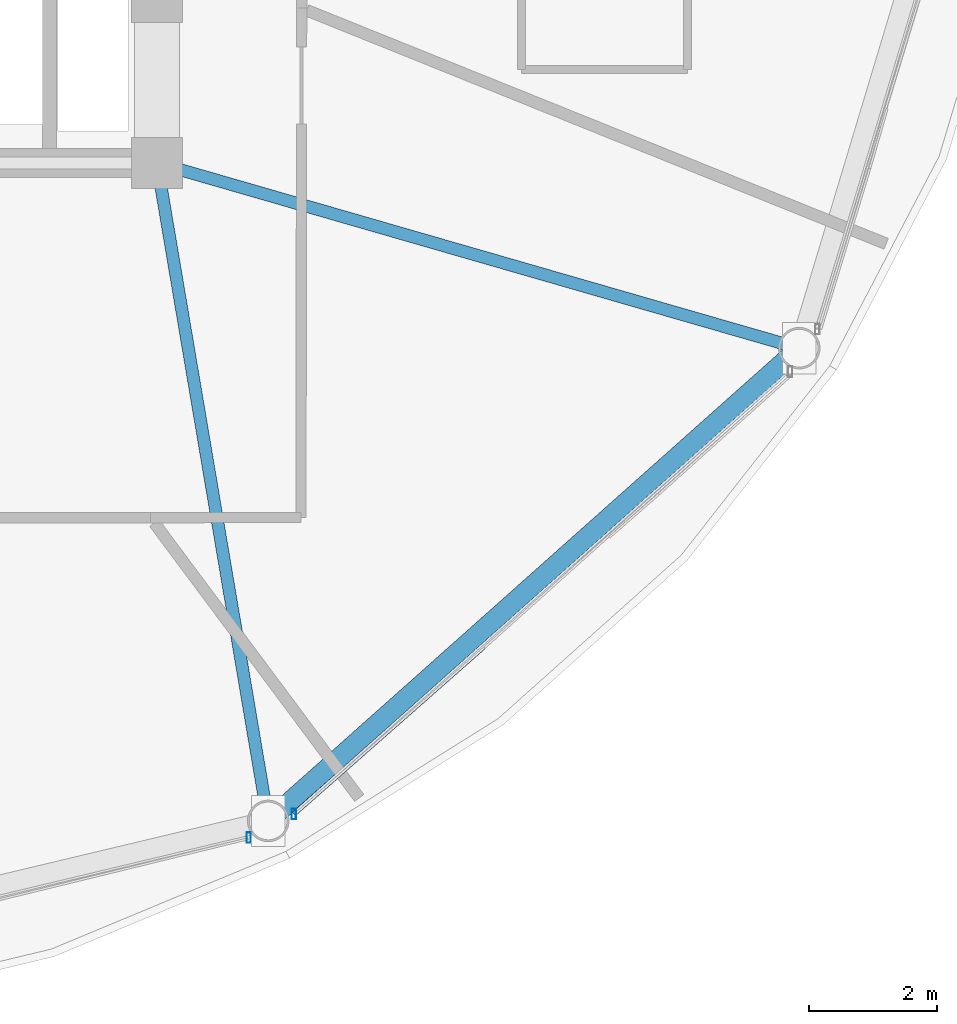
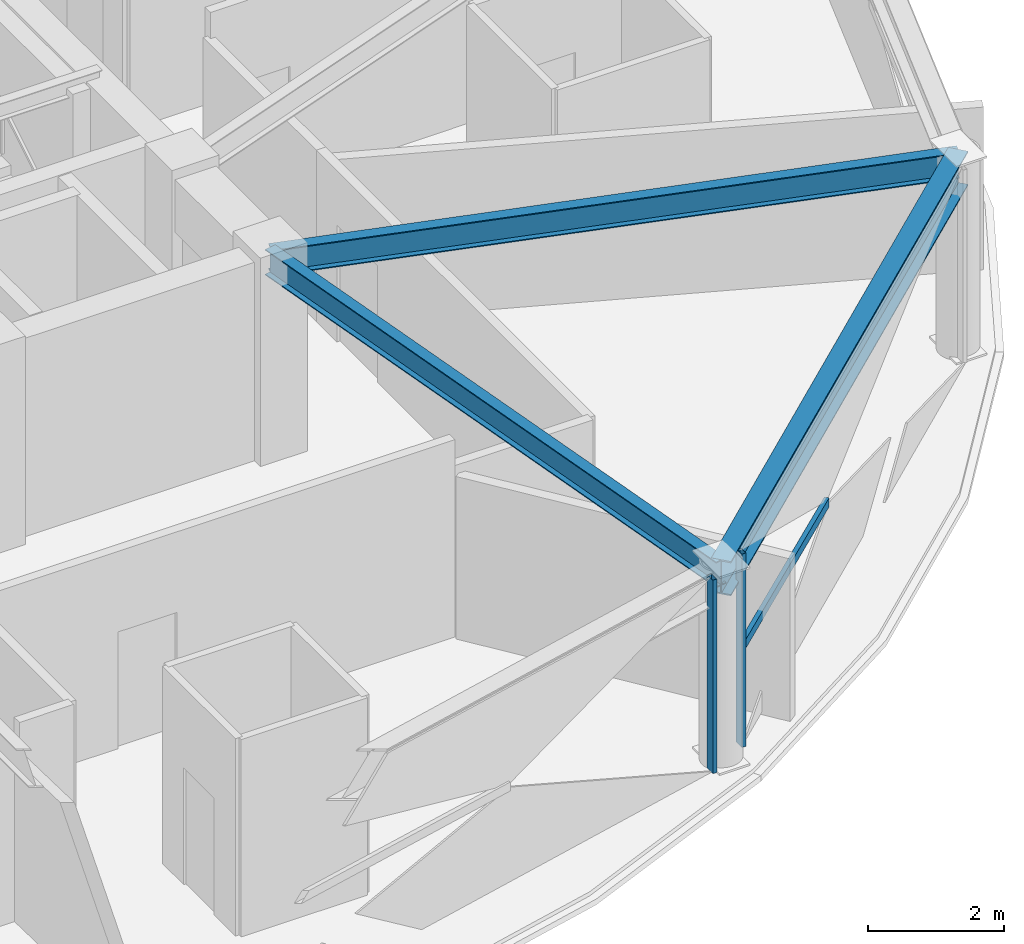
# One storey, part 11 of 30: 3 beams, 3 members, 2 elements without a shape of their own.
"""IFC4 building model written with IfcOpenShell, lengths in metres."""

from ifc_helpers import new_model, si_unit, direction, frame, origin, origin_2d, place, context, subcontext, project, spatial, hollow_rectangle, i_section, extrude, material, layer, layer_set, material_profile, profile_set, type_object, element, aggregate, save


model = new_model("IFC4")

# Units and contexts
model_context = context("Model", 3, precision=1e-05, world=origin(), true_north=direction((0.0, 1.0)))
body_context = subcontext(model_context, "Body", "Model", "MODEL_VIEW")
ifc_project = project(units=[si_unit("LENGTHUNIT", "METRE"), si_unit("AREAUNIT", "SQUARE_METRE"), si_unit("VOLUMEUNIT", "CUBIC_METRE"), si_unit("PLANEANGLEUNIT", "RADIAN"), si_unit("MASSUNIT", "GRAM", prefix="KILO")], contexts=[model_context])

# Site, building, storey
site_placement = place(None, origin())
site = spatial("IfcSite", under=ifc_project, at=site_placement, CompositionType="ELEMENT")
building_placement = place(site_placement, origin())
building = spatial("IfcBuilding", under=site, at=building_placement, Name="Vantalir Tower", CompositionType="ELEMENT")
storey_placement = place(building_placement, frame((0.0, 0.0, 186.14990234375)))
storey = spatial("IfcBuildingStorey", under=building, at=storey_placement, Name="L46", CompositionType="ELEMENT", Elevation=186.14990234375)

# Beams
ifc_material_1 = material(Name="Steel S355", Category="steel")
ifc_material_profile_1 = material_profile(ifc_material_1, i_section(OverallWidth=0.19189453125, OverallDepth=0.462890625, WebThickness=0.010498046875, FlangeThickness=0.017578125, at=origin_2d()), Name="Steel S355")
ifc_profile_set_1 = profile_set([ifc_material_profile_1], Name="Steel S355")
beam_type_1 = type_object("IfcBeamType", Name="BM-RB-457x191", PredefinedType="BEAM", material=ifc_profile_set_1)
beam_1_placement = place(storey_placement, frame((42.837890625, 7.51708984375, 3.338134765625), z_axis=(-0.166634565595, 0.986018722717, 0.0), x_axis=(-0.986018722717, -0.166634565595, 0.0)))
element("IfcBeam", 1, at=beam_1_placement, inside=storey, type_object=beam_type_1, Name="L46 Radial Floor Beam 11", PredefinedType="BEAM", context=body_context, shape_type="SweptSolid", body=[
    extrude(i_section(OverallWidth=0.19189453125, OverallDepth=0.462890625, WebThickness=0.010498046875, FlangeThickness=0.017578125, at=origin_2d()), origin(), (0.0, 0.0, 1.0), 10.4287109375),
])
beam_2_placement = place(storey_placement, frame((51.137939453125, 14.906005859375, 3.338134765625), z_axis=(-0.960861521684, 0.277029125089, 0.0), x_axis=(-0.277029125089, -0.960861521684, 0.0)))
element("IfcBeam", 2, at=beam_2_placement, inside=storey, type_object=beam_type_1, Name="L46 Radial Floor Beam 12", PredefinedType="BEAM", context=body_context, shape_type="SweptSolid", body=[
    extrude(i_section(OverallWidth=0.19189453125, OverallDepth=0.462890625, WebThickness=0.010498046875, FlangeThickness=0.017578125, at=origin_2d()), origin(), (0.0, 0.0, 1.0), 10.44677734375),
])
ifc_material_2 = material(Name="Steel S460", Category="steel")
ifc_material_profile_2 = material_profile(ifc_material_2, i_section(OverallWidth=0.306884765625, OverallDepth=0.6201171875, WebThickness=0.01416015625, FlangeThickness=0.023681640625, at=origin_2d()), Name="Steel S460")
ifc_profile_set_2 = profile_set([ifc_material_profile_2], Name="Steel S460")
beam_type_2 = type_object("IfcBeamType", Name="BM-RG-610x305", PredefinedType="USERDEFINED", material=ifc_profile_set_2)
beam_3_placement = place(storey_placement, frame((42.837890625, 7.51708984375, 3.260009765625), z_axis=(0.746913346666, 0.664921388265, 0.0), x_axis=(-0.664921388265, 0.746913346666, 0.0)))
element("IfcBeam", 3, at=beam_3_placement, inside=storey, type_object=beam_type_2, Name="L46 Circumferential Ring Girder 11", ObjectType="GIRDER", PredefinedType="USERDEFINED", context=body_context, shape_type="SweptSolid", body=[
    extrude(i_section(OverallWidth=0.306884765625, OverallDepth=0.6201171875, WebThickness=0.01416015625, FlangeThickness=0.023681640625, at=origin_2d()), origin(), (0.0, 0.0, 1.0), 11.112548828125),
])

# Curtain wall, member
ifc_material_3 = material(Name="Champagne-silver PVDF aluminium and double-silver Low-E glass", Category="aluminium")
ifc_layer = layer(ifc_material_3, 0.2099609375)
ifc_layer_set = layer_set([ifc_layer], Name="Champagne-silver PVDF aluminium and double-silver Low-E glass")
curtain_wall_type = type_object("IfcCurtainWallType", Name="CW-DIAMOND-Z3", PredefinedType="USERDEFINED", material=ifc_layer_set)
curtain_wall_1_placement = place(storey_placement, origin())
curtain_wall_1 = element("IfcCurtainWall", 4, at=curtain_wall_1_placement, inside=storey, type_object=curtain_wall_type, Name="L46 Quilted Pyramid-Diamond Curtain Wall S10", ObjectType="UNITISED CURTAIN WALL", PredefinedType="USERDEFINED")
ifc_material_4 = material(Name="Champagne-silver PVDF aluminium 6063-T6", Category="aluminium")
ifc_material_profile_3 = material_profile(ifc_material_4, hollow_rectangle(XDim=0.070068359375, YDim=0.1650390625, WallThickness=0.00390625, at=origin_2d()), Name="Champagne-silver PVDF aluminium 6063-T6")
ifc_profile_set_3 = profile_set([ifc_material_profile_3], Name="Champagne-silver PVDF aluminium 6063-T6")
member_type_1 = type_object("IfcMemberType", Name="CWM-165x70", PredefinedType="MULLION", material=ifc_profile_set_3)
member_1_placement = place(storey_placement, frame((42.533935546875, 7.257080078125, 0.045166015625), z_axis=(0.0, 0.0, 1.0), x_axis=(1.0, 0.0, 0.0)))
member_1 = element("IfcMember", 5, at=member_1_placement, type_object=member_type_1, Name="CW-L46-S10 Mullion 2", PredefinedType="MULLION", context=body_context, shape_type="SweptSolid", body=[
    extrude(hollow_rectangle(XDim=0.070068359375, YDim=0.1650390625, WallThickness=0.00390625, at=origin_2d()), origin(), (0.0, 0.0, 1.0), 3.47998046875),
])
aggregate(curtain_wall_1, [member_1])

# Curtain wall, members
curtain_wall_2_placement = place(storey_placement, origin())
curtain_wall_2 = element("IfcCurtainWall", 6, at=curtain_wall_2_placement, inside=storey, type_object=curtain_wall_type, Name="L46 Quilted Pyramid-Diamond Curtain Wall S11", ObjectType="UNITISED CURTAIN WALL", PredefinedType="USERDEFINED")
member_2_placement = place(storey_placement, frame((43.239013671875, 7.625, 0.045166015625), z_axis=(0.0, 0.0, 1.0), x_axis=(1.0, 0.0, 0.0)))
member_2 = element("IfcMember", 7, at=member_2_placement, type_object=member_type_1, Name="CW-L46-S11 Mullion 1", PredefinedType="MULLION", context=body_context, shape_type="SweptSolid", body=[
    extrude(hollow_rectangle(XDim=0.070068359375, YDim=0.1650390625, WallThickness=0.00390625, at=origin_2d()), origin(), (0.0, 0.0, 1.0), 3.47998046875),
])
ifc_material_profile_4 = material_profile(ifc_material_4, hollow_rectangle(XDim=0.074951171875, YDim=0.159912109375, WallThickness=0.00390625, at=origin_2d()), Name="Champagne-silver PVDF aluminium 6063-T6")
ifc_profile_set_4 = profile_set([ifc_material_profile_4], Name="Champagne-silver PVDF aluminium 6063-T6")
member_type_2 = type_object("IfcMemberType", Name="CWT-160x75", PredefinedType="USERDEFINED", material=ifc_profile_set_4)
member_3_placement = place(storey_placement, frame((43.239013671875, 7.625, 1.78515625), z_axis=(0.750609293483, 0.660746311785, 0.0), x_axis=(-0.660746311785, 0.750609293483, 0.0)))
member_3 = element("IfcMember", 8, at=member_3_placement, type_object=member_type_2, Name="CW-L46-S11 Pyramid Fold Ridge Transom", ObjectType="TRANSOM", PredefinedType="USERDEFINED", context=body_context, shape_type="SweptSolid", body=[
    extrude(hollow_rectangle(XDim=0.074951171875, YDim=0.159912109375, WallThickness=0.00390625, at=origin_2d()), origin(), (0.0, 0.0, 1.0), 3.9501953125),
])
aggregate(curtain_wall_2, [member_2, member_3])

save(model, "model.ifc")
